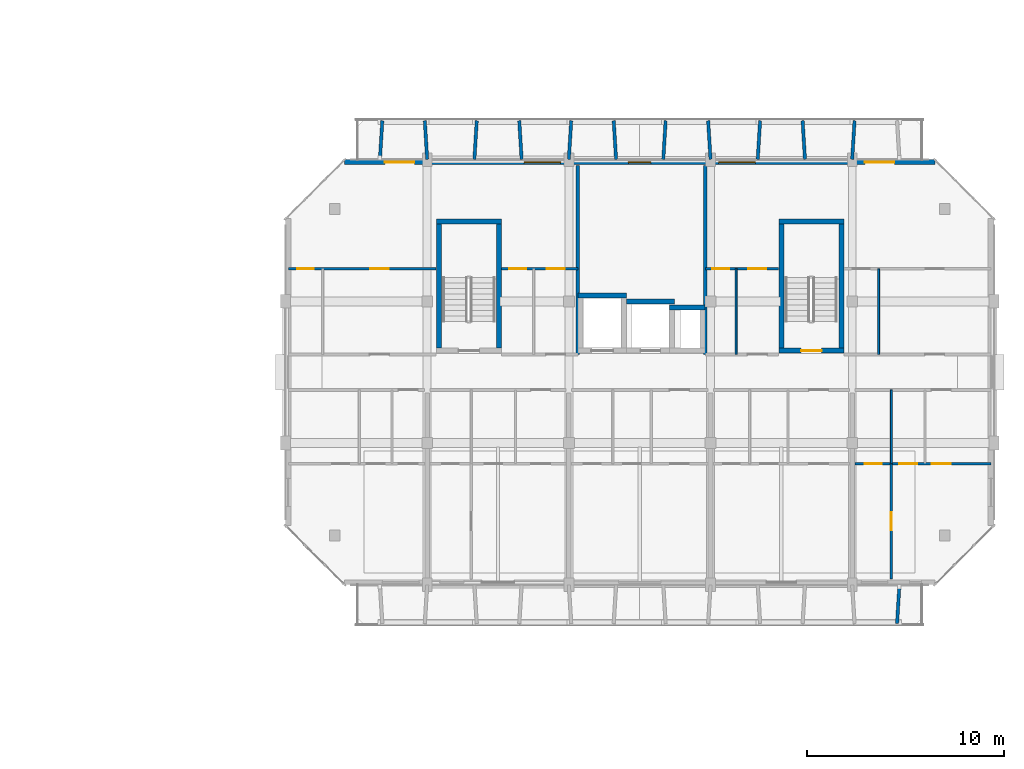
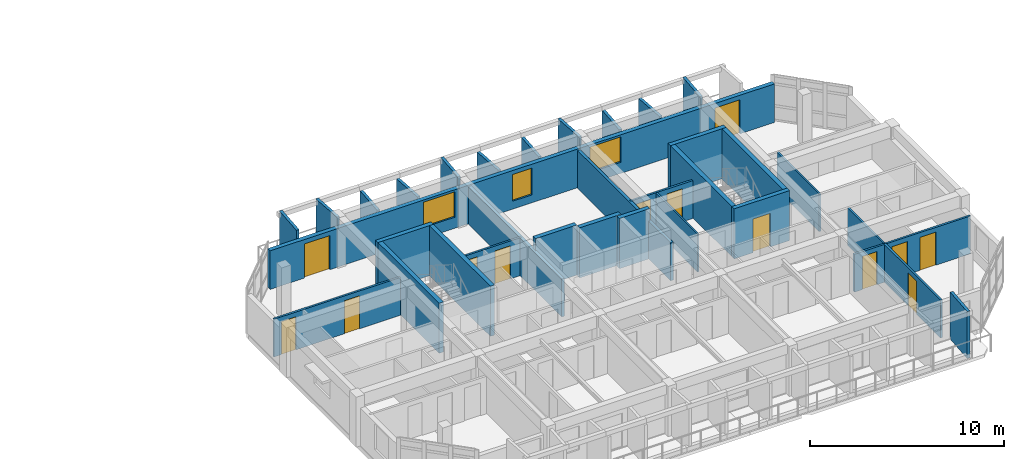
# One storey, part 42 of 64: 33 walls, 13 doors, 3 windows, 16 openings.
"""IFC4 building model written with IfcOpenShell, lengths in metres."""

from ifc_helpers import new_model, si_unit, direction, frame, frame_2d, origin, place, context, subcontext, project, spatial, rectangle, extrude, material, layer, layer_set, type_object, element, fill, save


model = new_model("IFC4")

# Units and contexts
model_context = context("Model", 3, precision=1e-05, world=origin(), true_north=direction((0.0, 1.0)))
body_context = subcontext(model_context, "Body", "Model", "MODEL_VIEW")
ifc_project = project(units=[si_unit("LENGTHUNIT", "METRE"), si_unit("AREAUNIT", "SQUARE_METRE"), si_unit("VOLUMEUNIT", "CUBIC_METRE"), si_unit("PLANEANGLEUNIT", "RADIAN"), si_unit("MASSUNIT", "GRAM", prefix="KILO")], contexts=[model_context])

# Site, building, storey
site_placement = place(None, origin())
site = spatial("IfcSite", under=ifc_project, at=site_placement, CompositionType="ELEMENT")
building_placement = place(site_placement, origin())
building = spatial("IfcBuilding", under=site, at=building_placement, Name="Ochrevale Crest", CompositionType="ELEMENT")
storey_placement = place(building_placement, frame((0.0, 0.0, 8.699951171875)))
storey = spatial("IfcBuildingStorey", under=building, at=storey_placement, Name="L02", CompositionType="ELEMENT", Elevation=8.699951171875)

# Walls
ifc_material_1 = material(Name="Precast concrete C50/60", Category="concrete")
ifc_layer_1 = layer(ifc_material_1, 0.2548828125)
ifc_layer_set_1 = layer_set([ifc_layer_1], Name="Precast concrete C50/60")
wall_type_1 = type_object("IfcWallType", Name="WL-CORE-255", PredefinedType="SHEAR", material=ifc_layer_set_1)
wall_1_placement = place(storey_placement, frame((137.2724609375, 32.85009765625, 0.0), z_axis=(0.0, 0.0, 1.0), x_axis=(1.0, 0.0, 0.0)))
element("IfcWall", 1, at=wall_1_placement, inside=storey, type_object=wall_type_1, Name="Block C L02 Stair 1 precast core shear wall N", PredefinedType="SHEAR", context=body_context, shape_type="SweptSolid", body=[
    extrude(rectangle(XDim=3.304931640625, YDim=0.2548828125, at=frame_2d((1.65234375, 0.0))), origin(), (0.0, 0.0, 1.0), 3.150146484375),
])
for number, where, z_axis, x_axis, name in (
    (2, (137.39990234375, 26.427490234375, 0.0), (0.0, 0.0, 1.0), (0.0, 1.0, 0.0), "Block C L02 Stair 1 precast core shear wall W"),
    (3, (140.449951171875, 26.427490234375, 0.0), (0.0, 0.0, 1.0), (0.0, 1.0, 0.0), "Block C L02 Stair 1 precast core shear wall E"),
):
    element("IfcWall", number, at=place(storey_placement, frame(where, z_axis=z_axis, x_axis=x_axis)), inside=storey, type_object=wall_type_1, Name=name, PredefinedType="SHEAR", context=body_context, shape_type="SweptSolid", body=[
        extrude(rectangle(XDim=6.294921875, YDim=0.2548828125, at=frame_2d((3.1474609375, 0.0))), origin(), (0.0, 0.0, 1.0), 3.150146484375),
    ])

# Wall, opening, door
wall_2_placement = place(storey_placement, frame((154.672607421875, 26.300048828125, 0.0), z_axis=(0.0, 0.0, 1.0), x_axis=(1.0, 0.0, 0.0)))
wall_2 = element("IfcWall", 4, at=wall_2_placement, inside=storey, type_object=wall_type_1, Name="Block C L02 Stair 2 precast core shear wall S", PredefinedType="SHEAR", context=body_context, shape_type="SweptSolid", body=[
    extrude(rectangle(XDim=3.304931640625, YDim=0.2548828125, at=frame_2d((1.65234375, 0.0))), origin(), (0.0, 0.0, 1.0), 3.150146484375),
])
opening_1_placement = place(wall_2_placement, frame((1.12744140625, 0.0, 0.0)))
opening_1 = element("IfcOpeningElement", 5, at=opening_1_placement, cuts=wall_2, Name="Opening FD03", PredefinedType="OPENING", context=body_context, shape_type="SweptSolid", body=[
    extrude(rectangle(XDim=1.050048828125, YDim=2.1201171875, at=frame_2d((0.52490234375, 1.06005859375))), frame((0.0, 0.137451171875, 0.0), z_axis=(0.0, -1.0, 0.0), x_axis=(1.0, 0.0, 0.0)), (0.0, 0.0, 1.0), 0.27490234375),
])
ifc_material_2 = material(Name="Solid-core FSC hardwood", Category="wood")
door_type_1 = type_object("IfcDoorType", Name="DR-ST-1050", OperationType="NOTDEFINED", PredefinedType="DOOR", material=ifc_material_2)
door_1_placement = place(opening_1_placement, origin())
door_1 = element("IfcDoor", 6, at=door_1_placement, inside=storey, type_object=door_type_1, Name="Block C L02 fire stair 2 door", OperationType="SINGLE_SWING_LEFT", OverallHeight=2.1201171875, OverallWidth=1.050048828125, PredefinedType="DOOR", context=body_context, shape_type="SweptSolid", body=[
    extrude(rectangle(XDim=1.050048828125, YDim=2.1201171875, at=frame_2d((0.52490234375, 1.06005859375))), frame((0.0, 0.02490234375, 0.0), z_axis=(0.0, -1.0, 0.0), x_axis=(1.0, 0.0, 0.0)), (0.0, 0.0, 1.0), 0.050048828125),
])
fill(opening_1, door_1)

# Walls
wall_3_placement = place(storey_placement, frame((154.672607421875, 32.85009765625, 0.0), z_axis=(0.0, 0.0, 1.0), x_axis=(1.0, 0.0, 0.0)))
element("IfcWall", 7, at=wall_3_placement, inside=storey, type_object=wall_type_1, Name="Block C L02 Stair 2 precast core shear wall N", PredefinedType="SHEAR", context=body_context, shape_type="SweptSolid", body=[
    extrude(rectangle(XDim=3.304931640625, YDim=0.2548828125, at=frame_2d((1.65234375, 0.0))), origin(), (0.0, 0.0, 1.0), 3.150146484375),
])
for number, where, z_axis, x_axis, name in (
    (8, (154.800048828125, 26.427490234375, 0.0), (0.0, 0.0, 1.0), (0.0, 1.0, 0.0), "Block C L02 Stair 2 precast core shear wall W"),
    (9, (157.85009765625, 26.427490234375, 0.0), (0.0, 0.0, 1.0), (0.0, 1.0, 0.0), "Block C L02 Stair 2 precast core shear wall E"),
):
    element("IfcWall", number, at=place(storey_placement, frame(where, z_axis=z_axis, x_axis=x_axis)), inside=storey, type_object=wall_type_1, Name=name, PredefinedType="SHEAR", context=body_context, shape_type="SweptSolid", body=[
        extrude(rectangle(XDim=6.294921875, YDim=0.2548828125, at=frame_2d((3.1474609375, 0.0))), origin(), (0.0, 0.0, 1.0), 3.150146484375),
    ])
wall_4_placement = place(storey_placement, frame((144.472412109375, 29.10009765625, 0.0), z_axis=(0.0, 0.0, 1.0), x_axis=(1.0, 0.0, 0.0)))
element("IfcWall", 10, at=wall_4_placement, inside=storey, type_object=wall_type_1, Name="Block C L02 Lift 1 precast shaft shear wall N", PredefinedType="SHEAR", context=body_context, shape_type="SweptSolid", body=[
    extrude(rectangle(XDim=2.455078125, YDim=0.2548828125, at=frame_2d((1.2275390625, 0.0))), origin(), (0.0, 0.0, 1.0), 3.150146484375),
])
wall_5_placement = place(storey_placement, frame((146.922607421875, 28.800048828125, 0.0), z_axis=(0.0, 0.0, 1.0), x_axis=(1.0, 0.0, 0.0)))
element("IfcWall", 11, at=wall_5_placement, inside=storey, type_object=wall_type_1, Name="Block C L02 Lift 2 precast shaft shear wall N", PredefinedType="SHEAR", context=body_context, shape_type="SweptSolid", body=[
    extrude(rectangle(XDim=2.454833984375, YDim=0.2548828125, at=frame_2d((1.2275390625, 0.0))), origin(), (0.0, 0.0, 1.0), 3.150146484375),
])
wall_6_placement = place(storey_placement, frame((149.12255859375, 28.5, 0.0), z_axis=(0.0, 0.0, 1.0), x_axis=(1.0, 0.0, 0.0)))
element("IfcWall", 12, at=wall_6_placement, inside=storey, type_object=wall_type_1, Name="Block C L02 services riser shaft core wall N", PredefinedType="SHEAR", context=body_context, shape_type="SweptSolid", body=[
    extrude(rectangle(XDim=1.804931640625, YDim=0.2548828125, at=frame_2d((0.90234375, 0.0))), origin(), (0.0, 0.0, 1.0), 3.150146484375),
])

# Wall, openings, doors, windows
ifc_material_3 = material(Name="Precast concrete C40/50", Category="concrete")
ifc_layer_2 = layer(ifc_material_3, 0.25)
ifc_layer_set_2 = layer_set([ifc_layer_2], Name="Precast concrete C40/50")
wall_type_2 = type_object("IfcWallType", Name="WL-EXT-GOLD-250", PredefinedType="SOLIDWALL", material=ifc_layer_set_2)
wall_7_placement = place(storey_placement, frame((162.60009765625, 35.875, 0.0), z_axis=(0.0, 0.0, 1.0), x_axis=(-1.0, 0.0, 0.0)))
wall_7 = element("IfcWall", 13, at=wall_7_placement, inside=storey, type_object=wall_type_2, Name="Block C L02 external facade wall E5", PredefinedType="SOLIDWALL", context=body_context, shape_type="SweptSolid", body=[
    extrude(rectangle(XDim=30.0, YDim=0.25, at=frame_2d((15.0, 0.0))), origin(), (0.0, 0.0, 1.0), 2.429931640625),
])
opening_2_placement = place(wall_7_placement, frame((27.949951171875, 0.0, 0.0), z_axis=(0.0, 0.0, 1.0), x_axis=(-1.0, 0.0, 0.0)))
opening_2 = element("IfcOpeningElement", 14, at=opening_2_placement, cuts=wall_7, Name="Opening BD01", PredefinedType="OPENING", context=body_context, shape_type="SweptSolid", body=[
    extrude(rectangle(XDim=1.5, YDim=2.14990234375, at=frame_2d((0.75, 1.074951171875))), frame((0.0, 0.135009765625, 0.0), z_axis=(0.0, -1.0, 0.0), x_axis=(1.0, 0.0, 0.0)), (0.0, 0.0, 1.0), 0.27001953125),
])
opening_3_placement = place(wall_7_placement, frame((3.550048828125, 0.0, 0.0), z_axis=(0.0, 0.0, 1.0), x_axis=(-1.0, 0.0, 0.0)))
opening_3 = element("IfcOpeningElement", 15, at=opening_3_placement, cuts=wall_7, Name="Opening BD01", PredefinedType="OPENING", context=body_context, shape_type="SweptSolid", body=[
    extrude(rectangle(XDim=1.5, YDim=2.14990234375, at=frame_2d((0.75, 1.074951171875))), frame((0.0, 0.135009765625, 0.0), z_axis=(0.0, -1.0, 0.0), x_axis=(1.0, 0.0, 0.0)), (0.0, 0.0, 1.0), 0.27001953125),
])
opening_4_placement = place(wall_7_placement, frame((14.425048828125, 0.0, 0.5)))
opening_4 = element("IfcOpeningElement", 16, at=opening_4_placement, cuts=wall_7, Name="Opening W32", PredefinedType="OPENING", context=body_context, shape_type="SweptSolid", body=[
    extrude(rectangle(XDim=1.14990234375, YDim=1.679931640625, at=frame_2d((0.574951171875, 0.83984375))), frame((0.0, 0.135009765625, 0.0), z_axis=(0.0, -1.0, 0.0), x_axis=(1.0, 0.0, 0.0)), (0.0, 0.0, 1.0), 0.27001953125),
])
opening_5_placement = place(wall_7_placement, frame((9.125, 0.0, 0.699951171875)))
opening_5 = element("IfcOpeningElement", 17, at=opening_5_placement, cuts=wall_7, Name="Opening W11", PredefinedType="OPENING", context=body_context, shape_type="SweptSolid", body=[
    extrude(rectangle(XDim=1.860107421875, YDim=1.60009765625, at=frame_2d((0.93017578125, 0.800048828125))), frame((0.0, 0.135009765625, 0.0), z_axis=(0.0, -1.0, 0.0), x_axis=(1.0, 0.0, 0.0)), (0.0, 0.0, 1.0), 0.27001953125),
])
opening_6_placement = place(wall_7_placement, frame((19.014892578125, 0.0, 0.699951171875)))
opening_6 = element("IfcOpeningElement", 18, at=opening_6_placement, cuts=wall_7, Name="Opening W11", PredefinedType="OPENING", context=body_context, shape_type="SweptSolid", body=[
    extrude(rectangle(XDim=1.860107421875, YDim=1.60009765625, at=frame_2d((0.93017578125, 0.800048828125))), frame((0.0, 0.135009765625, 0.0), z_axis=(0.0, -1.0, 0.0), x_axis=(1.0, 0.0, 0.0)), (0.0, 0.0, 1.0), 0.27001953125),
])
ifc_material_4 = material(Name="Anodised aluminium 6063-T5 and toughened glass", Category="aluminium")
door_type_2 = type_object("IfcDoorType", Name="DR-BAL-1500", OperationType="NOTDEFINED", PredefinedType="DOOR", material=ifc_material_4)
door_2_placement = place(opening_2_placement, origin())
door_2 = element("IfcDoor", 19, at=door_2_placement, inside=storey, type_object=door_type_2, Name="Block C L02 balcony door N1", OperationType="SINGLE_SWING_RIGHT", OverallHeight=2.14990234375, OverallWidth=1.5, PredefinedType="DOOR", context=body_context, shape_type="SweptSolid", body=[
    extrude(rectangle(XDim=1.5, YDim=2.14990234375, at=frame_2d((0.75, 1.074951171875))), frame((0.0, 0.02490234375, 0.0), z_axis=(0.0, -1.0, 0.0), x_axis=(1.0, 0.0, 0.0)), (0.0, 0.0, 1.0), 0.050048828125),
])
fill(opening_2, door_2)
door_3_placement = place(opening_3_placement, origin())
door_3 = element("IfcDoor", 20, at=door_3_placement, inside=storey, type_object=door_type_2, Name="Block C L02 balcony door N5", OperationType="SINGLE_SWING_LEFT", OverallHeight=2.14990234375, OverallWidth=1.5, PredefinedType="DOOR", context=body_context, shape_type="SweptSolid", body=[
    extrude(rectangle(XDim=1.5, YDim=2.14990234375, at=frame_2d((0.75, 1.074951171875))), frame((0.0, 0.02490234375, 0.0), z_axis=(0.0, -1.0, 0.0), x_axis=(1.0, 0.0, 0.0)), (0.0, 0.0, 1.0), 0.050048828125),
])
fill(opening_3, door_3)
ifc_material_5 = material(Name="Anodised aluminium 6063-T5 and low-E double glazing", Category="aluminium")
window_type_1 = type_object("IfcWindowType", Name="WIN-W11", PartitioningType="SINGLE_PANEL", PredefinedType="WINDOW", material=ifc_material_5)
window_1_placement = place(opening_5_placement, origin())
window_1 = element("IfcWindow", 21, at=window_1_placement, inside=storey, type_object=window_type_1, Name="Block C L02 Suite C-L02-ME Garden Alcove Studio window", OverallHeight=1.60009765625, OverallWidth=1.860107421875, PartitioningType="SINGLE_PANEL", PredefinedType="WINDOW", context=body_context, shape_type="SweptSolid", body=[
    extrude(rectangle(XDim=1.860107421875, YDim=1.60009765625, at=frame_2d((0.93017578125, 0.800048828125))), frame((0.0, 0.030029296875, 0.0), z_axis=(0.0, -1.0, 0.0), x_axis=(1.0, 0.0, 0.0)), (0.0, 0.0, 1.0), 0.06005859375),
])
fill(opening_5, window_1)
window_2_placement = place(opening_6_placement, origin())
window_2 = element("IfcWindow", 22, at=window_2_placement, inside=storey, type_object=window_type_1, Name="Block C L02 Suite C-L02-MW Courtyard Studio Living window", OverallHeight=1.60009765625, OverallWidth=1.860107421875, PartitioningType="SINGLE_PANEL", PredefinedType="WINDOW", context=body_context, shape_type="SweptSolid", body=[
    extrude(rectangle(XDim=1.860107421875, YDim=1.60009765625, at=frame_2d((0.93017578125, 0.800048828125))), frame((0.0, 0.030029296875, 0.0), z_axis=(0.0, -1.0, 0.0), x_axis=(1.0, 0.0, 0.0)), (0.0, 0.0, 1.0), 0.06005859375),
])
fill(opening_6, window_2)
window_type_2 = type_object("IfcWindowType", Name="WIN-W32", PartitioningType="SINGLE_PANEL", PredefinedType="WINDOW", material=ifc_material_5)
window_3_placement = place(opening_4_placement, origin())
window_3 = element("IfcWindow", 23, at=window_3_placement, inside=storey, type_object=window_type_2, Name="Block C L02 core lancet window", OverallHeight=1.679931640625, OverallWidth=1.14990234375, PartitioningType="SINGLE_PANEL", PredefinedType="WINDOW", context=body_context, shape_type="SweptSolid", body=[
    extrude(rectangle(XDim=1.14990234375, YDim=1.679931640625, at=frame_2d((0.574951171875, 0.83984375))), frame((0.0, 0.030029296875, 0.0), z_axis=(0.0, -1.0, 0.0), x_axis=(1.0, 0.0, 0.0)), (0.0, 0.0, 1.0), 0.06005859375),
])
fill(opening_4, window_3)

# Walls
ifc_layer_3 = layer(ifc_material_3, 0.1650390625)
ifc_layer_set_3 = layer_set([ifc_layer_3], Name="Precast concrete C40/50")
wall_type_3 = type_object("IfcWallType", Name="WL-HC-CHEEK-165", PredefinedType="ELEMENTEDWALL", material=ifc_layer_set_3)
for number, where, z_axis, x_axis, name in (
    (24, (160.800048828125, 14.3798828125, 0.0), (0.0, 0.0, 1.0), (-0.061170732449, -0.998127317276, 0.0), "Block C L02 S precast honeycomb cheek 12"),
    (25, (134.39990234375, 36.02001953125, 0.0), (0.0, 0.0, 1.0), (0.061170732449, 0.998127317276, 0.0), "Block C L02 N precast honeycomb cheek 1"),
    (26, (136.800048828125, 36.02001953125, 0.0), (0.0, 0.0, 1.0), (-0.061170732449, 0.998127317276, 0.0), "Block C L02 N precast honeycomb cheek 2"),
):
    element("IfcWall", number, at=place(storey_placement, frame(where, z_axis=z_axis, x_axis=x_axis)), inside=storey, type_object=wall_type_3, Name=name, PredefinedType="ELEMENTEDWALL", context=body_context, shape_type="SweptSolid", body=[
        extrude(rectangle(XDim=1.963623046875, YDim=0.1650390625, at=frame_2d((0.98193359375, 0.0))), origin(), (0.0, 0.0, 1.0), 2.949951171875),
    ])
for number, where, z_axis, x_axis, name in (
    (27, (139.199951171875, 36.02001953125, 0.0), (0.0, 0.0, 1.0), (0.061170732449, 0.998127317276, 0.0), "Block C L02 N precast honeycomb cheek 3"),
    (28, (141.60009765625, 36.02001953125, 0.0), (0.0, 0.0, 1.0), (-0.061170732449, 0.998127317276, 0.0), "Block C L02 N precast honeycomb cheek 4"),
):
    element("IfcWall", number, at=place(storey_placement, frame(where, z_axis=z_axis, x_axis=x_axis)), inside=storey, type_object=wall_type_3, Name=name, PredefinedType="ELEMENTEDWALL", context=body_context, shape_type="SweptSolid", body=[
        extrude(rectangle(XDim=1.963623046875, YDim=0.1650390625, at=frame_2d((0.98193359375, 0.0))), origin(), (0.0, 0.0, 1.0), 2.530029296875),
    ])
wall_8_placement = place(storey_placement, frame((144.0, 36.02001953125, 0.0), z_axis=(0.0, 0.0, 1.0), x_axis=(0.061170732449, 0.998127317276, 0.0)))
element("IfcWall", 29, at=wall_8_placement, inside=storey, type_object=wall_type_3, Name="Block C L02 N precast honeycomb cheek 5", PredefinedType="ELEMENTEDWALL", context=body_context, shape_type="SweptSolid", body=[
    extrude(rectangle(XDim=1.963623046875, YDim=0.1650390625, at=frame_2d((0.98193359375, 0.0))), origin(), (0.0, 0.0, 1.0), 2.949951171875),
])
for number, where, z_axis, x_axis, name in (
    (30, (146.39990234375, 36.02001953125, 0.0), (0.0, 0.0, 1.0), (-0.061046865508, 0.998134900808, 0.0), "Block C L02 N precast honeycomb cheek 6"),
    (31, (148.800048828125, 36.02001953125, 0.0), (0.0, 0.0, 1.0), (0.061046865508, 0.998134900808, 0.0), "Block C L02 N precast honeycomb cheek 7"),
):
    element("IfcWall", number, at=place(storey_placement, frame(where, z_axis=z_axis, x_axis=x_axis)), inside=storey, type_object=wall_type_3, Name=name, PredefinedType="ELEMENTEDWALL", context=body_context, shape_type="SweptSolid", body=[
        extrude(rectangle(XDim=1.963623046875, YDim=0.1650390625, at=frame_2d((0.98193359375, 0.0))), origin(), (0.0, 0.0, 1.0), 2.530029296875),
    ])
wall_9_placement = place(storey_placement, frame((151.199951171875, 36.02001953125, 0.0), z_axis=(0.0, 0.0, 1.0), x_axis=(-0.061046865508, 0.998134900808, 0.0)))
element("IfcWall", 32, at=wall_9_placement, inside=storey, type_object=wall_type_3, Name="Block C L02 N precast honeycomb cheek 8", PredefinedType="ELEMENTEDWALL", context=body_context, shape_type="SweptSolid", body=[
    extrude(rectangle(XDim=1.963623046875, YDim=0.1650390625, at=frame_2d((0.98193359375, 0.0))), origin(), (0.0, 0.0, 1.0), 2.949951171875),
])
for number, where, z_axis, x_axis, name in (
    (33, (153.60009765625, 36.02001953125, 0.0), (0.0, 0.0, 1.0), (0.061046865508, 0.998134900808, 0.0), "Block C L02 N precast honeycomb cheek 9"),
    (34, (156.0, 36.02001953125, 0.0), (0.0, 0.0, 1.0), (-0.061170732449, 0.998127317276, 0.0), "Block C L02 N precast honeycomb cheek 10"),
):
    element("IfcWall", number, at=place(storey_placement, frame(where, z_axis=z_axis, x_axis=x_axis)), inside=storey, type_object=wall_type_3, Name=name, PredefinedType="ELEMENTEDWALL", context=body_context, shape_type="SweptSolid", body=[
        extrude(rectangle(XDim=1.963623046875, YDim=0.1650390625, at=frame_2d((0.98193359375, 0.0))), origin(), (0.0, 0.0, 1.0), 2.550048828125),
    ])
wall_10_placement = place(storey_placement, frame((158.39990234375, 36.02001953125, 0.0), z_axis=(0.0, 0.0, 1.0), x_axis=(0.061170732449, 0.998127317276, 0.0)))
element("IfcWall", 35, at=wall_10_placement, inside=storey, type_object=wall_type_3, Name="Block C L02 N precast honeycomb cheek 11", PredefinedType="ELEMENTEDWALL", context=body_context, shape_type="SweptSolid", body=[
    extrude(rectangle(XDim=1.963623046875, YDim=0.1650390625, at=frame_2d((0.98193359375, 0.0))), origin(), (0.0, 0.0, 1.0), 2.949951171875),
])

# Wall, openings, doors
ifc_material_6 = material(Name="Gypsum plasterboard", Category="gypsum")
ifc_layer_4 = layer(ifc_material_6, 0.1201171875)
ifc_layer_set_4 = layer_set([ifc_layer_4], Name="Gypsum plasterboard")
wall_type_4 = type_object("IfcWallType", Name="WL-PART-120", PredefinedType="PARTITIONING", material=ifc_layer_set_4)
wall_11_placement = place(storey_placement, frame((158.5400390625, 20.550048828125, 0.0), z_axis=(0.0, 0.0, 1.0), x_axis=(1.0, 0.0, 0.0)))
wall_11 = element("IfcWall", 36, at=wall_11_placement, inside=storey, type_object=wall_type_4, Name="Apartment C-L02-U5 central partition", PredefinedType="PARTITIONING", context=body_context, shape_type="SweptSolid", body=[
    extrude(rectangle(XDim=6.919921875, YDim=0.1201171875, at=frame_2d((3.4599609375, 0.0))), origin(), (0.0, 0.0, 1.0), 2.380126953125),
])
opening_7_placement = place(wall_11_placement, frame((1.35009765625, 0.0, 0.0), z_axis=(0.0, 0.0, 1.0), x_axis=(-1.0, 0.0, 0.0)))
opening_7 = element("IfcOpeningElement", 37, at=opening_7_placement, cuts=wall_11, Name="Opening ID01", PredefinedType="OPENING", context=body_context, shape_type="SweptSolid", body=[
    extrude(rectangle(XDim=0.85009765625, YDim=2.080078125, at=frame_2d((0.425048828125, 1.0400390625))), frame((0.0, 0.070068359375, 0.0), z_axis=(0.0, -1.0, 0.0), x_axis=(1.0, 0.0, 0.0)), (0.0, 0.0, 1.0), 0.14013671875),
])
opening_8_placement = place(wall_11_placement, frame((2.2548828125, 0.0, 0.0)))
opening_8 = element("IfcOpeningElement", 38, at=opening_8_placement, cuts=wall_11, Name="Opening ID02", PredefinedType="OPENING", context=body_context, shape_type="SweptSolid", body=[
    extrude(rectangle(XDim=0.89990234375, YDim=2.080078125, at=frame_2d((0.449951171875, 1.0400390625))), frame((0.0, 0.070068359375, 0.0), z_axis=(0.0, -1.0, 0.0), x_axis=(1.0, 0.0, 0.0)), (0.0, 0.0, 1.0), 0.14013671875),
])
opening_9_placement = place(wall_11_placement, frame((4.85986328125, 0.0, 0.0), z_axis=(0.0, 0.0, 1.0), x_axis=(-1.0, 0.0, 0.0)))
opening_9 = element("IfcOpeningElement", 39, at=opening_9_placement, cuts=wall_11, Name="Opening ID06", PredefinedType="OPENING", context=body_context, shape_type="SweptSolid", body=[
    extrude(rectangle(XDim=0.949951171875, YDim=2.080078125, at=frame_2d((0.47509765625, 1.0400390625))), frame((0.0, 0.070068359375, 0.0), z_axis=(0.0, -1.0, 0.0), x_axis=(1.0, 0.0, 0.0)), (0.0, 0.0, 1.0), 0.14013671875),
])
door_type_3 = type_object("IfcDoorType", Name="DR-INT-900", OperationType="NOTDEFINED", PredefinedType="DOOR", material=ifc_material_2)
door_4_placement = place(opening_8_placement, origin())
door_4 = element("IfcDoor", 40, at=door_4_placement, inside=storey, type_object=door_type_3, Name="Apartment C-L02-U5 Kitchen door", OperationType="SINGLE_SWING_LEFT", OverallHeight=2.080078125, OverallWidth=0.89990234375, PredefinedType="DOOR", context=body_context, shape_type="SweptSolid", body=[
    extrude(rectangle(XDim=0.89990234375, YDim=2.080078125, at=frame_2d((0.449951171875, 1.0400390625))), frame((0.0, 0.02490234375, 0.0), z_axis=(0.0, -1.0, 0.0), x_axis=(1.0, 0.0, 0.0)), (0.0, 0.0, 1.0), 0.050048828125),
])
fill(opening_8, door_4)
door_type_4 = type_object("IfcDoorType", Name="DR-INT-950", OperationType="NOTDEFINED", PredefinedType="DOOR", material=ifc_material_2)
door_5_placement = place(opening_9_placement, origin())
door_5 = element("IfcDoor", 41, at=door_5_placement, inside=storey, type_object=door_type_4, Name="Apartment C-L02-U5 Living Foyer door", OperationType="SINGLE_SWING_RIGHT", OverallHeight=2.080078125, OverallWidth=0.949951171875, PredefinedType="DOOR", context=body_context, shape_type="SweptSolid", body=[
    extrude(rectangle(XDim=0.949951171875, YDim=2.080078125, at=frame_2d((0.47509765625, 1.0400390625))), frame((0.0, 0.02490234375, 0.0), z_axis=(0.0, -1.0, 0.0), x_axis=(1.0, 0.0, 0.0)), (0.0, 0.0, 1.0), 0.050048828125),
])
fill(opening_9, door_5)
door_type_5 = type_object("IfcDoorType", Name="DR-WC-850", OperationType="NOTDEFINED", PredefinedType="DOOR", material=ifc_material_2)
door_6_placement = place(opening_7_placement, origin())
door_6 = element("IfcDoor", 42, at=door_6_placement, inside=storey, type_object=door_type_5, Name="Apartment C-L02-U5 Bathroom door", OperationType="SINGLE_SWING_RIGHT", OverallHeight=2.080078125, OverallWidth=0.85009765625, PredefinedType="DOOR", context=body_context, shape_type="SweptSolid", body=[
    extrude(rectangle(XDim=0.85009765625, YDim=2.080078125, at=frame_2d((0.425048828125, 1.0400390625))), frame((0.0, 0.02490234375, 0.0), z_axis=(0.0, -1.0, 0.0), x_axis=(1.0, 0.0, 0.0)), (0.0, 0.0, 1.0), 0.050048828125),
])
fill(opening_7, door_6)

# Wall, opening, door
wall_12_placement = place(storey_placement, frame((160.389892578125, 14.699951171875, 0.0), z_axis=(0.0, 0.0, 1.0), x_axis=(0.0, 1.0, 0.0)))
wall_12 = element("IfcWall", 43, at=wall_12_placement, inside=storey, type_object=wall_type_4, Name="Apartment C-L02-U5 bedroom partition", PredefinedType="PARTITIONING", context=body_context, shape_type="SweptSolid", body=[
    extrude(rectangle(XDim=5.85009765625, YDim=0.1201171875, at=frame_2d((2.925048828125, 0.0))), origin(), (0.0, 0.0, 1.0), 2.380126953125),
])
opening_10_placement = place(wall_12_placement, frame((2.47509765625, 0.0, 0.0)))
opening_10 = element("IfcOpeningElement", 44, at=opening_10_placement, cuts=wall_12, Name="Opening ID02", PredefinedType="OPENING", context=body_context, shape_type="SweptSolid", body=[
    extrude(rectangle(XDim=0.89990234375, YDim=2.080078125, at=frame_2d((0.449951171875, 1.0400390625))), frame((0.0, 0.070068359375, 0.0), z_axis=(0.0, -1.0, 0.0), x_axis=(1.0, 0.0, 0.0)), (0.0, 0.0, 1.0), 0.14013671875),
])
door_7_placement = place(opening_10_placement, origin())
door_7 = element("IfcDoor", 45, at=door_7_placement, inside=storey, type_object=door_type_3, Name="Apartment C-L02-U5 Double Bedroom door", OperationType="SINGLE_SWING_LEFT", OverallHeight=2.080078125, OverallWidth=0.89990234375, PredefinedType="DOOR", context=body_context, shape_type="SweptSolid", body=[
    extrude(rectangle(XDim=0.89990234375, YDim=2.080078125, at=frame_2d((0.449951171875, 1.0400390625))), frame((0.0, 0.02490234375, 0.0), z_axis=(0.0, -1.0, 0.0), x_axis=(1.0, 0.0, 0.0)), (0.0, 0.0, 1.0), 0.050048828125),
])
fill(opening_10, door_7)

# Wall, openings, doors
wall_13_placement = place(storey_placement, frame((129.739990234375, 30.449951171875, 0.0), z_axis=(0.0, 0.0, 1.0), x_axis=(1.0, 0.0, 0.0)))
wall_13 = element("IfcWall", 46, at=wall_13_placement, inside=storey, type_object=wall_type_4, Name="Suite C-L02-CW internal wall", PredefinedType="PARTITIONING", context=body_context, shape_type="SweptSolid", body=[
    extrude(rectangle(XDim=7.52001953125, YDim=0.1201171875, at=frame_2d((3.760009765625, 0.0))), origin(), (0.0, 0.0, 1.0), 2.380126953125),
])
opening_11_placement = place(wall_13_placement, frame((0.449951171875, 0.0, 0.0)))
opening_11 = element("IfcOpeningElement", 47, at=opening_11_placement, cuts=wall_13, Name="Opening ID01", PredefinedType="OPENING", context=body_context, shape_type="SweptSolid", body=[
    extrude(rectangle(XDim=0.85009765625, YDim=2.080078125, at=frame_2d((0.425048828125, 1.0400390625))), frame((0.0, 0.070068359375, 0.0), z_axis=(0.0, -1.0, 0.0), x_axis=(1.0, 0.0, 0.0)), (0.0, 0.0, 1.0), 0.14013671875),
])
opening_12_placement = place(wall_13_placement, frame((5.094970703125, 0.0, 0.0), z_axis=(0.0, 0.0, 1.0), x_axis=(-1.0, 0.0, 0.0)))
opening_12 = element("IfcOpeningElement", 48, at=opening_12_placement, cuts=wall_13, Name="Opening ID04", PredefinedType="OPENING", context=body_context, shape_type="SweptSolid", body=[
    extrude(rectangle(XDim=0.919921875, YDim=2.080078125, at=frame_2d((0.4599609375, 1.0400390625))), frame((0.0, 0.070068359375, 0.0), z_axis=(0.0, -1.0, 0.0), x_axis=(1.0, 0.0, 0.0)), (0.0, 0.0, 1.0), 0.14013671875),
])
door_type_6 = type_object("IfcDoorType", Name="DR-INT-920", OperationType="NOTDEFINED", PredefinedType="DOOR", material=ifc_material_2)
door_8_placement = place(opening_12_placement, origin())
door_8 = element("IfcDoor", 49, at=door_8_placement, inside=storey, type_object=door_type_6, Name="Suite C-L02-CW Garden Alcove Studio door", OperationType="SINGLE_SWING_RIGHT", OverallHeight=2.080078125, OverallWidth=0.919921875, PredefinedType="DOOR", context=body_context, shape_type="SweptSolid", body=[
    extrude(rectangle(XDim=0.919921875, YDim=2.080078125, at=frame_2d((0.4599609375, 1.0400390625))), frame((0.0, 0.02490234375, 0.0), z_axis=(0.0, -1.0, 0.0), x_axis=(1.0, 0.0, 0.0)), (0.0, 0.0, 1.0), 0.050048828125),
])
fill(opening_12, door_8)
door_9_placement = place(opening_11_placement, origin())
door_9 = element("IfcDoor", 50, at=door_9_placement, inside=storey, type_object=door_type_5, Name="Suite C-L02-CW Bathroom door", OperationType="SINGLE_SWING_LEFT", OverallHeight=2.080078125, OverallWidth=0.85009765625, PredefinedType="DOOR", context=body_context, shape_type="SweptSolid", body=[
    extrude(rectangle(XDim=0.85009765625, YDim=2.080078125, at=frame_2d((0.425048828125, 1.0400390625))), frame((0.0, 0.02490234375, 0.0), z_axis=(0.0, -1.0, 0.0), x_axis=(1.0, 0.0, 0.0)), (0.0, 0.0, 1.0), 0.050048828125),
])
fill(opening_11, door_9)

wall_14_placement = place(storey_placement, frame((140.590087890625, 30.449951171875, 0.0), z_axis=(0.0, 0.0, 1.0), x_axis=(1.0, 0.0, 0.0)))
wall_14 = element("IfcWall", 51, at=wall_14_placement, inside=storey, type_object=wall_type_4, Name="Suite C-L02-MW internal wall", PredefinedType="PARTITIONING", context=body_context, shape_type="SweptSolid", body=[
    extrude(rectangle(XDim=3.869873046875, YDim=0.1201171875, at=frame_2d((1.93505859375, 0.0))), origin(), (0.0, 0.0, 1.0), 2.380126953125),
])
opening_13_placement = place(wall_14_placement, frame((1.23779296875, 0.0, 0.0), z_axis=(0.0, 0.0, 1.0), x_axis=(-1.0, 0.0, 0.0)))
opening_13 = element("IfcOpeningElement", 52, at=opening_13_placement, cuts=wall_14, Name="Opening ID01", PredefinedType="OPENING", context=body_context, shape_type="SweptSolid", body=[
    extrude(rectangle(XDim=0.85009765625, YDim=2.080078125, at=frame_2d((0.425048828125, 1.0400390625))), frame((0.0, 0.070068359375, 0.0), z_axis=(0.0, -1.0, 0.0), x_axis=(1.0, 0.0, 0.0)), (0.0, 0.0, 1.0), 0.14013671875),
])
opening_14_placement = place(wall_14_placement, frame((2.28759765625, 0.0, 0.0)))
opening_14 = element("IfcOpeningElement", 53, at=opening_14_placement, cuts=wall_14, Name="Opening ID04", PredefinedType="OPENING", context=body_context, shape_type="SweptSolid", body=[
    extrude(rectangle(XDim=0.919921875, YDim=2.080078125, at=frame_2d((0.4599609375, 1.0400390625))), frame((0.0, 0.070068359375, 0.0), z_axis=(0.0, -1.0, 0.0), x_axis=(1.0, 0.0, 0.0)), (0.0, 0.0, 1.0), 0.14013671875),
])
door_10_placement = place(opening_14_placement, origin())
door_10 = element("IfcDoor", 54, at=door_10_placement, inside=storey, type_object=door_type_6, Name="Suite C-L02-MW Courtyard Studio Living door", OperationType="SINGLE_SWING_LEFT", OverallHeight=2.080078125, OverallWidth=0.919921875, PredefinedType="DOOR", context=body_context, shape_type="SweptSolid", body=[
    extrude(rectangle(XDim=0.919921875, YDim=2.080078125, at=frame_2d((0.4599609375, 1.0400390625))), frame((0.0, 0.02490234375, 0.0), z_axis=(0.0, -1.0, 0.0), x_axis=(1.0, 0.0, 0.0)), (0.0, 0.0, 1.0), 0.050048828125),
])
fill(opening_14, door_10)
door_11_placement = place(opening_13_placement, origin())
door_11 = element("IfcDoor", 55, at=door_11_placement, inside=storey, type_object=door_type_5, Name="Suite C-L02-MW Bathroom door", OperationType="SINGLE_SWING_RIGHT", OverallHeight=2.080078125, OverallWidth=0.85009765625, PredefinedType="DOOR", context=body_context, shape_type="SweptSolid", body=[
    extrude(rectangle(XDim=0.85009765625, YDim=2.080078125, at=frame_2d((0.425048828125, 1.0400390625))), frame((0.0, 0.02490234375, 0.0), z_axis=(0.0, -1.0, 0.0), x_axis=(1.0, 0.0, 0.0)), (0.0, 0.0, 1.0), 0.050048828125),
])
fill(opening_13, door_11)

wall_15_placement = place(storey_placement, frame((150.93994140625, 30.449951171875, 0.0), z_axis=(0.0, 0.0, 1.0), x_axis=(1.0, 0.0, 0.0)))
wall_15 = element("IfcWall", 56, at=wall_15_placement, inside=storey, type_object=wall_type_4, Name="Suite C-L02-ME internal wall", PredefinedType="PARTITIONING", context=body_context, shape_type="SweptSolid", body=[
    extrude(rectangle(XDim=3.719970703125, YDim=0.1201171875, at=frame_2d((1.85986328125, 0.0))), origin(), (0.0, 0.0, 1.0), 2.380126953125),
])
opening_15_placement = place(wall_15_placement, frame((0.356201171875, 0.0, 0.0)))
opening_15 = element("IfcOpeningElement", 57, at=opening_15_placement, cuts=wall_15, Name="Opening ID01", PredefinedType="OPENING", context=body_context, shape_type="SweptSolid", body=[
    extrude(rectangle(XDim=0.85009765625, YDim=2.080078125, at=frame_2d((0.425048828125, 1.0400390625))), frame((0.0, 0.070068359375, 0.0), z_axis=(0.0, -1.0, 0.0), x_axis=(1.0, 0.0, 0.0)), (0.0, 0.0, 1.0), 0.14013671875),
])
opening_16_placement = place(wall_15_placement, frame((3.10107421875, 0.0, 0.0), z_axis=(0.0, 0.0, 1.0), x_axis=(-1.0, 0.0, 0.0)))
opening_16 = element("IfcOpeningElement", 58, at=opening_16_placement, cuts=wall_15, Name="Opening ID04", PredefinedType="OPENING", context=body_context, shape_type="SweptSolid", body=[
    extrude(rectangle(XDim=0.919921875, YDim=2.080078125, at=frame_2d((0.4599609375, 1.0400390625))), frame((0.0, 0.070068359375, 0.0), z_axis=(0.0, -1.0, 0.0), x_axis=(1.0, 0.0, 0.0)), (0.0, 0.0, 1.0), 0.14013671875),
])
door_12_placement = place(opening_16_placement, origin())
door_12 = element("IfcDoor", 59, at=door_12_placement, inside=storey, type_object=door_type_6, Name="Suite C-L02-ME Garden Alcove Studio door", OperationType="SINGLE_SWING_RIGHT", OverallHeight=2.080078125, OverallWidth=0.919921875, PredefinedType="DOOR", context=body_context, shape_type="SweptSolid", body=[
    extrude(rectangle(XDim=0.919921875, YDim=2.080078125, at=frame_2d((0.4599609375, 1.0400390625))), frame((0.0, 0.02490234375, 0.0), z_axis=(0.0, -1.0, 0.0), x_axis=(1.0, 0.0, 0.0)), (0.0, 0.0, 1.0), 0.050048828125),
])
fill(opening_16, door_12)
door_13_placement = place(opening_15_placement, origin())
door_13 = element("IfcDoor", 60, at=door_13_placement, inside=storey, type_object=door_type_5, Name="Suite C-L02-ME Bathroom door", OperationType="SINGLE_SWING_LEFT", OverallHeight=2.080078125, OverallWidth=0.85009765625, PredefinedType="DOOR", context=body_context, shape_type="SweptSolid", body=[
    extrude(rectangle(XDim=0.85009765625, YDim=2.080078125, at=frame_2d((0.425048828125, 1.0400390625))), frame((0.0, 0.02490234375, 0.0), z_axis=(0.0, -1.0, 0.0), x_axis=(1.0, 0.0, 0.0)), (0.0, 0.0, 1.0), 0.050048828125),
])
fill(opening_15, door_13)

# Walls
ifc_layer_5 = layer(ifc_material_6, 0.169921875)
ifc_layer_set_5 = layer_set([ifc_layer_5], Name="Gypsum plasterboard")
wall_type_5 = type_object("IfcWallType", Name="WL-TEN-170", PredefinedType="PARTITIONING", material=ifc_layer_set_5)
for number, where, z_axis, x_axis, name in (
    (61, (144.4599609375, 26.10009765625, 0.0), (0.0, 0.0, 1.0), (0.0, 1.0, 0.0), "Suite C-L02-MW east party wall"),
    (62, (150.93994140625, 26.10009765625, 0.0), (0.0, 0.0, 1.0), (0.0, 1.0, 0.0), "Suite C-L02-ME west party wall"),
):
    element("IfcWall", number, at=place(storey_placement, frame(where, z_axis=z_axis, x_axis=x_axis)), inside=storey, type_object=wall_type_5, Name=name, PredefinedType="PARTITIONING", context=body_context, shape_type="SweptSolid", body=[
        extrude(rectangle(XDim=9.599853515625, YDim=0.169921875, at=frame_2d((4.7998046875, 0.0))), origin(), (0.0, 0.0, 1.0), 2.380126953125),
    ])
ifc_layer_6 = layer(ifc_material_6, 0.10009765625)
ifc_layer_set_6 = layer_set([ifc_layer_6], Name="Gypsum plasterboard")
wall_type_6 = type_object("IfcWallType", Name="WL-WET-100", PredefinedType="PARTITIONING", material=ifc_layer_set_6)
wall_16_placement = place(storey_placement, frame((160.389892578125, 20.550048828125, 0.0), z_axis=(0.0, 0.0, 1.0), x_axis=(0.0, 1.0, 0.0)))
element("IfcWall", 63, at=wall_16_placement, inside=storey, type_object=wall_type_6, Name="Apartment C-L02-U5 bath-kitchen wall", PredefinedType="PARTITIONING", context=body_context, shape_type="SweptSolid", body=[
    extrude(rectangle(XDim=3.75, YDim=0.10009765625, at=frame_2d((1.875, 0.0))), origin(), (0.0, 0.0, 1.0), 2.375),
])
for number, where, z_axis, x_axis, name in (
    (64, (152.50244140625, 26.10009765625, 0.0), (0.0, 0.0, 1.0), (0.0, 1.0, 0.0), "Suite C-L02-ME bathroom divider"),
    (65, (159.739990234375, 26.10009765625, 0.0), (0.0, 0.0, 1.0), (0.0, 1.0, 0.0), "Suite C-L02-CE bathroom divider"),
):
    element("IfcWall", number, at=place(storey_placement, frame(where, z_axis=z_axis, x_axis=x_axis)), inside=storey, type_object=wall_type_6, Name=name, PredefinedType="PARTITIONING", context=body_context, shape_type="SweptSolid", body=[
        extrude(rectangle(XDim=4.349853515625, YDim=0.10009765625, at=frame_2d((2.1748046875, 0.0))), origin(), (0.0, 0.0, 1.0), 2.375),
    ])

save(model, "model.ifc")
